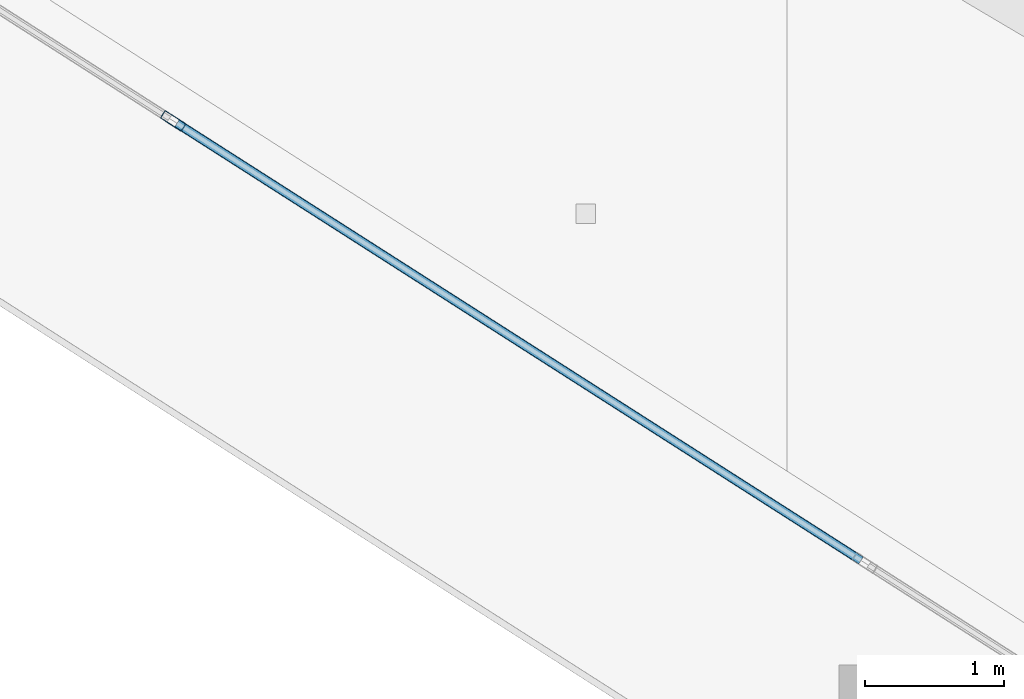
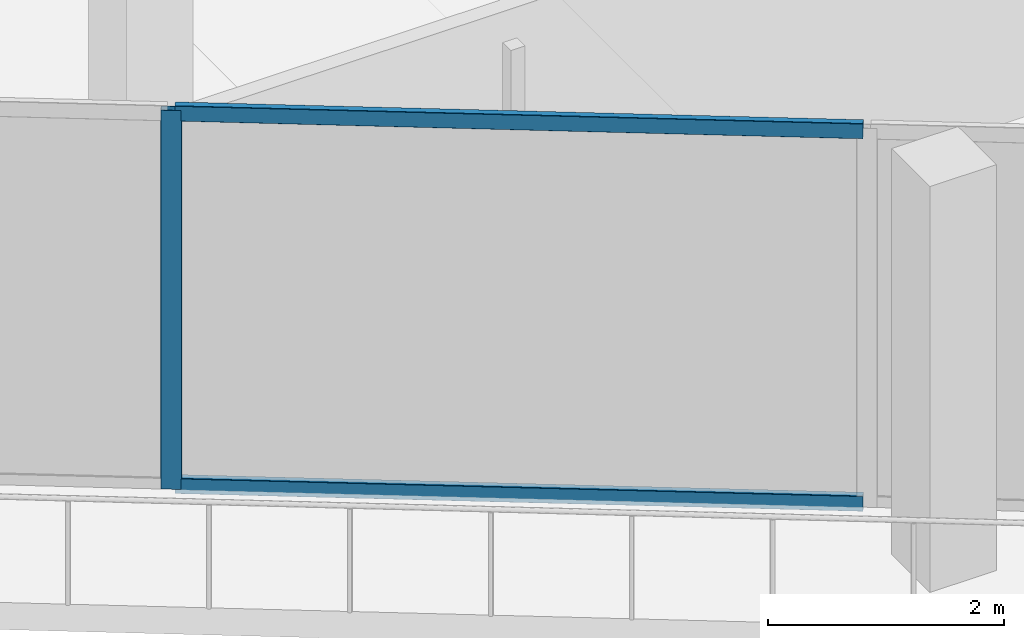
# One storey, part 3 of 44: 3 members, 1 element without a shape of its own.
"""IFC4 building model written with IfcOpenShell, lengths in metres."""

import ifcopenshell
import ifcopenshell.guid

model = None  # the IFC model being written
_history = None  # IfcOwnerHistory: only IFC2X3 demands one
_inside = {}  # id of a spatial element -> (the spatial element, [elements in it])
_under = {}  # id of a project, library or spatial element -> (it, [spatial elements below it])
_declared = {}  # id of a project -> (the project, [libraries it declares])
_typed = {}  # id of a type object -> (the type object, [elements of that type])
_made_of = {}  # id of a material, layer set ... -> (it, [elements and type objects made of it])


def new_model(schema):
    """Start an empty IFC model of exactly this schema.

    Asked for "IFC4X3", IfcOpenShell would pick the latest addendum, in which some entities
    have other attributes; the version numbers below select the first issue.
    IFC2X3 requires an IfcOwnerHistory on every rooted entity: one is made here for all.
    """
    global model, _history
    if schema == "IFC4X3":
        model = ifcopenshell.file(schema_version=(4, 3, 0, 0))
    else:
        model = ifcopenshell.file(schema=schema)
    _inside.clear()
    _under.clear()
    _declared.clear()
    _typed.clear()
    _made_of.clear()
    _history = None
    if model.schema == "IFC2X3":
        org = make("IfcOrganization", Name="unknown")
        user = make(
            "IfcPersonAndOrganization",
            ThePerson=make("IfcPerson", FamilyName="unknown"),
            TheOrganization=org,
        )
        app = make(
            "IfcApplication",
            ApplicationDeveloper=org,
            Version="unknown",
            ApplicationFullName="unknown",
            ApplicationIdentifier="unknown",
        )
        _history = make(
            "IfcOwnerHistory",
            OwningUser=user,
            OwningApplication=app,
            ChangeAction="ADDED",
            CreationDate=0,
        )
    return model


def make(cls, **values):
    """One entity of the class cls with the attributes given. An attribute that is None is left unset."""
    return model.create_entity(
        cls, **{name: value for name, value in values.items() if value is not None}
    )


def rooted(cls, **values):
    """An entity with a GlobalId (a new one), such as an element, a storey or a relation."""
    return make(cls, GlobalId=ifcopenshell.guid.new(), OwnerHistory=_history, **values)


def si_unit(unit_type, name, prefix=None):
    """IfcSIUnit, for example si_unit("LENGTHUNIT", "METRE", prefix="MILLI")."""
    return make("IfcSIUnit", UnitType=unit_type, Prefix=prefix, Name=name)


def assignment(units):
    """IfcUnitAssignment: the units of a project."""
    return None if units is None else make("IfcUnitAssignment", Units=units)


def point(xyz):
    """IfcCartesianPoint."""
    return None if xyz is None else make("IfcCartesianPoint", Coordinates=xyz)


def direction(xyz):
    """IfcDirection."""
    return None if xyz is None else make("IfcDirection", DirectionRatios=xyz)


def frame(location, z_axis=None, x_axis=None):
    """IfcAxis2Placement3D, a coordinate frame: its origin and axes. An axis left out is left unset."""
    return make(
        "IfcAxis2Placement3D",
        Location=point(location),
        Axis=direction(z_axis),
        RefDirection=direction(x_axis),
    )


def frame_2d(location, x_axis=None):
    """IfcAxis2Placement2D, a coordinate frame in the plane: its origin and x axis."""
    return make(
        "IfcAxis2Placement2D", Location=point(location), RefDirection=direction(x_axis)
    )


def origin():
    """The frame at (0, 0, 0) with its axes left unset."""
    return frame((0.0, 0.0, 0.0))


def origin_2d():
    """The frame at (0, 0) in the plane with its x axis left unset."""
    return frame_2d((0.0, 0.0))


def place(relative_to, where):
    """IfcLocalPlacement: puts the frame where relative to a parent placement (None: the world)."""
    return make(
        "IfcLocalPlacement", PlacementRelTo=relative_to, RelativePlacement=where
    )


def context(
    kind, dimensions, precision=None, world=None, true_north=None, identifier=None
):
    """IfcGeometricRepresentationContext, for example the 3D "Model" context."""
    return make(
        "IfcGeometricRepresentationContext",
        ContextIdentifier=identifier,
        ContextType=kind,
        CoordinateSpaceDimension=dimensions,
        Precision=precision,
        WorldCoordinateSystem=world,
        TrueNorth=true_north,
    )


def subcontext(parent, identifier, kind, view, scale=None):
    """IfcGeometricRepresentationSubContext, for example "Body" below "Model"."""
    return make(
        "IfcGeometricRepresentationSubContext",
        ContextIdentifier=identifier,
        ContextType=kind,
        ParentContext=parent,
        TargetScale=scale,
        TargetView=view,
    )


def project(units=None, contexts=None):
    """IfcProject with its units and contexts."""
    return rooted(
        "IfcProject",
        Name="project",
        RepresentationContexts=contexts,
        UnitsInContext=assignment(units),
    )


def spatial(cls, under=None, at=None, **own):
    """A site, building, storey or space (cls), placed at a placement, below another one or the project."""
    s = rooted(cls, ObjectPlacement=at, **own)
    if under is not None:
        _under.setdefault(under.id(), (under, []))[1].append(s)
    return s


def profile(cls, at=None, kind="AREA", **sizes):
    """A parametric profile (cls). Its sizes go by their IFC names, for example OverallWidth=200.0."""
    return make(cls, ProfileType=kind, Position=at, **sizes)


def hollow_rectangle(**sizes):
    """IfcRectangleHollowProfileDef."""
    return profile("IfcRectangleHollowProfileDef", **sizes)


def extrude(swept, where, along, depth):
    """IfcExtrudedAreaSolid: the profile swept, set in the frame where, extruded along a direction by depth."""
    return make(
        "IfcExtrudedAreaSolid",
        SweptArea=swept,
        Position=where,
        ExtrudedDirection=direction(along),
        Depth=depth,
    )


def shape(context_of_items, identifier, shape_type, items):
    """IfcShapeRepresentation: the items that make up one representation, for example the "Body"."""
    return make(
        "IfcShapeRepresentation",
        ContextOfItems=context_of_items,
        RepresentationIdentifier=identifier,
        RepresentationType=shape_type,
        Items=items,
    )


def material(Name=None, Category=None):
    """IfcMaterial."""
    return make("IfcMaterial", Name=Name, Category=Category)


def layer(
    of_material, thickness, ventilated=None, Name=None, Category=None, Priority=None
):
    """IfcMaterialLayer: one layer of a wall or slab, of a material (None: an air gap)."""
    return make(
        "IfcMaterialLayer",
        Material=of_material,
        LayerThickness=thickness,
        IsVentilated=ventilated,
        Name=Name,
        Category=Category,
        Priority=Priority,
    )


def layer_set(layers, Name=None):
    """IfcMaterialLayerSet."""
    return make("IfcMaterialLayerSet", MaterialLayers=layers, LayerSetName=Name)


def material_profile(
    of_material, cross_section, Name=None, Category=None, Priority=None
):
    """IfcMaterialProfile: a cross section and its material."""
    return make(
        "IfcMaterialProfile",
        Name=Name,
        Material=of_material,
        Profile=cross_section,
        Priority=Priority,
        Category=Category,
    )


def profile_set(profiles, Name=None, composite=None):
    """IfcMaterialProfileSet."""
    return make(
        "IfcMaterialProfileSet",
        Name=Name,
        MaterialProfiles=profiles,
        CompositeProfile=composite,
    )


def made_of(thing, what):
    """Note that an element or type object is made of a material, layer set ...; save() writes the relation."""
    if what is not None:
        _made_of.setdefault(what.id(), (what, []))[1].append(thing)
    return thing


def type_object(cls, material=None, **own):
    """A type object (cls), such as IfcWallType, which elements share."""
    return made_of(rooted(cls, **own), material)


def element(
    cls,
    number,
    at=None,
    inside=None,
    cuts=None,
    type_object=None,
    material=None,
    context=None,
    identifier="Body",
    shape_type=None,
    held_by="IfcProductDefinitionShape",
    body=None,
    shapes=None,
    **own,
):
    """One element of the class cls, such as IfcWall. Its Tag is "e" and its number.

    at: its placement. inside: the storey or other place that contains it. cuts: it is an
    opening in that element (IfcRelVoidsElement). A single representation is given by context,
    identifier, shape_type and body (its items); several are given by shapes. held_by: the class
    of the entity that holds the representations. save() writes the other relations.
    """
    e = rooted(cls, Tag="e%d" % number, ObjectPlacement=at, **own)
    if body is not None:
        shapes = [shape(context, identifier, shape_type, body)]
    if shapes is not None:
        e.Representation = make(held_by, Representations=shapes)
    if inside is not None:
        _inside.setdefault(inside.id(), (inside, []))[1].append(e)
    if cuts is not None:
        rooted(
            "IfcRelVoidsElement", RelatingBuildingElement=cuts, RelatedOpeningElement=e
        )
    if type_object is not None:
        _typed.setdefault(type_object.id(), (type_object, []))[1].append(e)
    return made_of(e, material)


def aggregate(whole, parts):
    """IfcRelAggregates: a whole, such as a stair, and the parts it consists of."""
    return rooted("IfcRelAggregates", RelatingObject=whole, RelatedObjects=parts)


def save(model, path):
    """Write the relations noted so far, then the file.

    IfcRelAggregates (storeys below a building ...), IfcRelContainedInSpatialStructure (elements
    in a storey), IfcRelDefinesByType, IfcRelAssociatesMaterial and IfcRelDeclares: one each for
    every whole, place, type object, material and project.
    """
    for whole, parts in _under.values():
        aggregate(whole, parts)
    for where, things in _inside.values():
        rooted(
            "IfcRelContainedInSpatialStructure",
            RelatedElements=things,
            RelatingStructure=where,
        )
    for kind, things in _typed.values():
        rooted("IfcRelDefinesByType", RelatedObjects=things, RelatingType=kind)
    for what, things in _made_of.values():
        rooted("IfcRelAssociatesMaterial", RelatedObjects=things, RelatingMaterial=what)
    for by, libraries in _declared.values():
        rooted("IfcRelDeclares", RelatingContext=by, RelatedDefinitions=libraries)
    model.write(path)


model = new_model("IFC4")

# Units and contexts
model_context = context("Model", 3, precision=1e-05, world=origin(), true_north=direction((0.0, 1.0)))
body_context = subcontext(model_context, "Body", "Model", "MODEL_VIEW")
ifc_project = project(units=[si_unit("LENGTHUNIT", "METRE"), si_unit("AREAUNIT", "SQUARE_METRE"), si_unit("VOLUMEUNIT", "CUBIC_METRE"), si_unit("PLANEANGLEUNIT", "RADIAN"), si_unit("MASSUNIT", "GRAM", prefix="KILO")], contexts=[model_context])

# Site, building, storey
site_placement = place(None, origin())
site = spatial("IfcSite", under=ifc_project, at=site_placement, CompositionType="ELEMENT")
building_placement = place(site_placement, origin())
building = spatial("IfcBuilding", under=site, at=building_placement, Name="Qorvath Tower", CompositionType="ELEMENT")
storey_placement = place(building_placement, frame((0.0, 0.0, 45.0)))
storey = spatial("IfcBuildingStorey", under=building, at=storey_placement, Name="L09", CompositionType="ELEMENT", Elevation=45.0)

# Curtain wall, members
ifc_material_1 = material(Name="Anodised aluminium and triple low-E glass", Category="aluminium")
ifc_layer = layer(ifc_material_1, 0.179931640625)
ifc_layer_set = layer_set([ifc_layer], Name="CW-SYS-2")
curtain_wall_type = type_object("IfcCurtainWallType", Name="CW-SYS-2", PredefinedType="NOTDEFINED", material=ifc_layer_set)
curtain_wall_placement = place(storey_placement, origin())
curtain_wall = element("IfcCurtainWall", 1, at=curtain_wall_placement, inside=storey, type_object=curtain_wall_type, Name="Curtain Wall CW-2 CW-T-L09-2.1", PredefinedType="NOTDEFINED")
ifc_material_2 = material(Name="Anodised aluminium 6063-T6", Category="aluminium")
ifc_material_profile_1 = material_profile(ifc_material_2, hollow_rectangle(XDim=0.06494140625, YDim=0.179931640625, WallThickness=0.00341796875, InnerFilletRadius=0.00341796875, OuterFilletRadius=0.007080078125, at=origin_2d()), Name="CWM 180x65")
ifc_profile_set_1 = profile_set([ifc_material_profile_1], Name="Anodised aluminium 6063-T6")
member_type_1 = type_object("IfcMemberType", Name="CWM-180", PredefinedType="MULLION", material=ifc_profile_set_1)
member_1_placement = place(storey_placement, frame((-50.65185546875, -10.534912109375, 0.0), z_axis=(0.0, 0.0, 1.0), x_axis=(0.538531853978, 0.842605152044, 0.0)))
member_1 = element("IfcMember", 2, at=member_1_placement, type_object=member_type_1, Name="CW-2 mullion 3", PredefinedType="MULLION", context=body_context, shape_type="SweptSolid", body=[
    extrude(hollow_rectangle(XDim=0.06494140625, YDim=0.179931640625, WallThickness=0.00341796875, InnerFilletRadius=0.00341796875, OuterFilletRadius=0.007080078125, at=origin_2d()), origin(), (0.0, 0.0, 1.0), 3.919921875),
])
ifc_material_3 = material(Name="Anodised aluminium 6063-T6", Category="aluminium")
ifc_material_profile_2 = material_profile(ifc_material_3, hollow_rectangle(XDim=0.06494140625, YDim=0.159912109375, WallThickness=0.00341796875, InnerFilletRadius=0.00341796875, OuterFilletRadius=0.007080078125, at=origin_2d()), Name="CWT 160x65")
ifc_profile_set_2 = profile_set([ifc_material_profile_2], Name="Anodised aluminium 6063-T6")
member_type_2 = type_object("IfcMemberType", Name="CWT-160", PredefinedType="USERDEFINED", material=ifc_profile_set_2)
member_2_placement = place(storey_placement, frame((-50.624267578125, -10.552490234375, 0.032470703125), z_axis=(0.842618260885, -0.538511342891, 0.0), x_axis=(0.538511342891, 0.842618260885, 0.0)))
member_2 = element("IfcMember", 3, at=member_2_placement, type_object=member_type_2, Name="CW-2 transom 3.1", ObjectType="TRANSOM", PredefinedType="USERDEFINED", context=body_context, shape_type="SweptSolid", body=[
    extrude(hollow_rectangle(XDim=0.06494140625, YDim=0.159912109375, WallThickness=0.00341796875, InnerFilletRadius=0.00341796875, OuterFilletRadius=0.007080078125, at=origin_2d()), origin(), (0.0, 0.0, 1.0), 5.8388671875),
])
member_3_placement = place(storey_placement, frame((-50.624267578125, -10.552490234375, 3.887451171875), z_axis=(0.842618260885, -0.538511342891, 0.0), x_axis=(0.538511342891, 0.842618260885, 0.0)))
member_3 = element("IfcMember", 4, at=member_3_placement, type_object=member_type_2, Name="CW-2 transom 3.2", ObjectType="TRANSOM", PredefinedType="USERDEFINED", context=body_context, shape_type="SweptSolid", body=[
    extrude(hollow_rectangle(XDim=0.06494140625, YDim=0.159912109375, WallThickness=0.00341796875, InnerFilletRadius=0.00341796875, OuterFilletRadius=0.007080078125, at=origin_2d()), origin(), (0.0, 0.0, 1.0), 5.8388671875),
])
aggregate(curtain_wall, [member_1, member_2, member_3])

save(model, "model.ifc")
